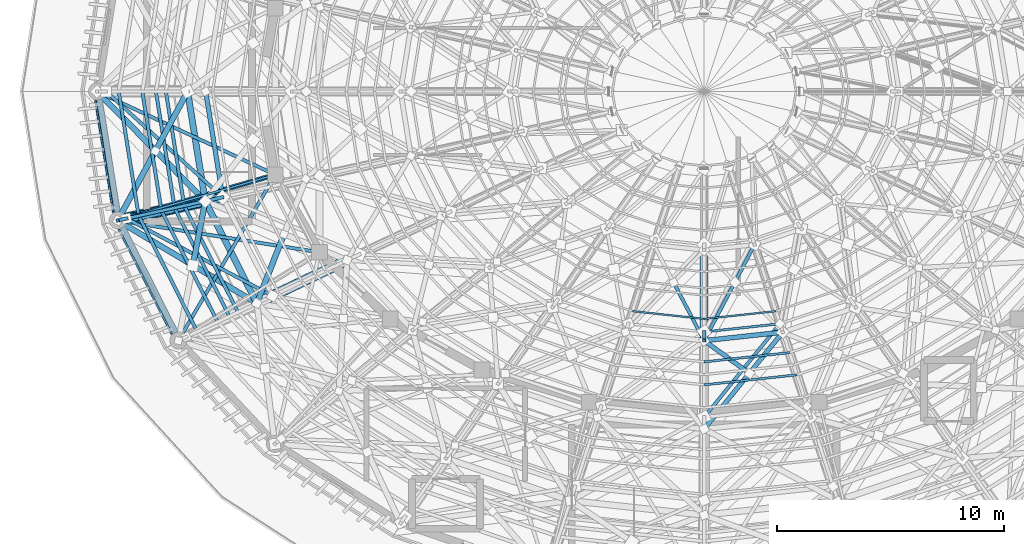
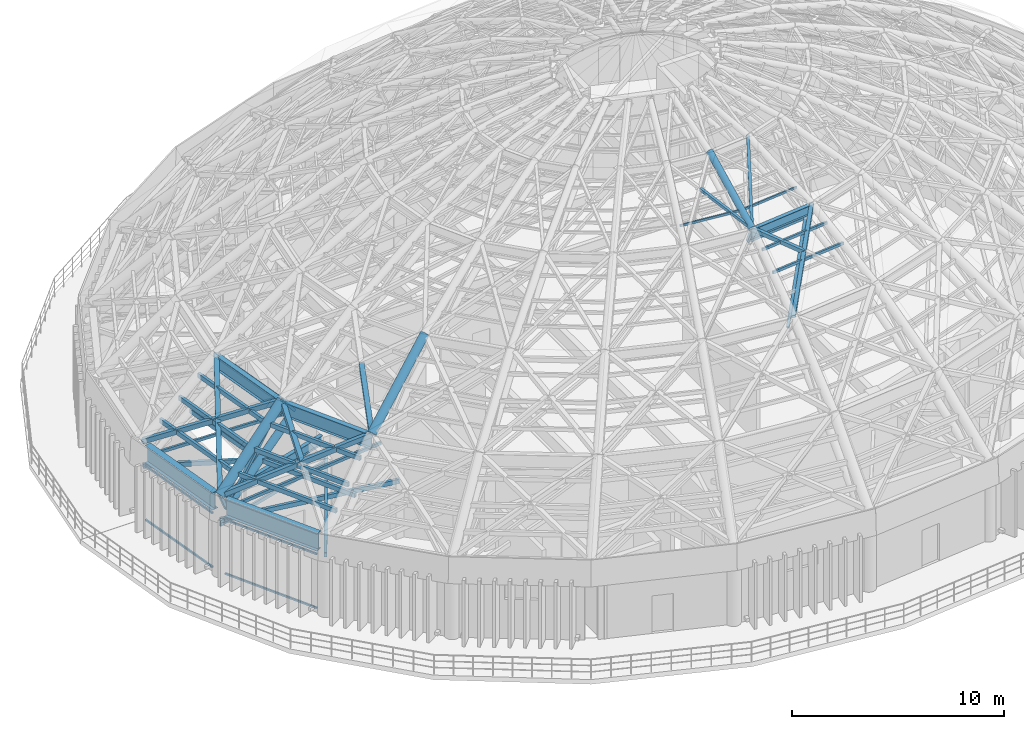
# One storey, part 5 of 50: 43 members, 6 beams.
"""IFC4 building model written with IfcOpenShell, lengths in metres."""

from ifc_helpers import new_model, si_unit, direction, frame, origin, origin_2d, place, context, subcontext, project, spatial, rectangle, hollow_rectangle, hollow_circle, i_section, extrude, material, material_profile, profile_set, type_object, element, save


model = new_model("IFC4")

# Units and contexts
model_context = context("Model", 3, precision=1e-05, world=origin(), true_north=direction((0.0, 1.0)))
body_context = subcontext(model_context, "Body", "Model", "MODEL_VIEW")
ifc_project = project(units=[si_unit("LENGTHUNIT", "METRE"), si_unit("AREAUNIT", "SQUARE_METRE"), si_unit("VOLUMEUNIT", "CUBIC_METRE"), si_unit("PLANEANGLEUNIT", "RADIAN"), si_unit("MASSUNIT", "GRAM", prefix="KILO")], contexts=[model_context])

# Site, building, storey
site_placement = place(None, origin())
site = spatial("IfcSite", under=ifc_project, at=site_placement, CompositionType="ELEMENT")
building_placement = place(site_placement, origin())
building = spatial("IfcBuilding", under=site, at=building_placement, Name="Cinderbank Siding Concert Hall", CompositionType="ELEMENT")
storey_placement = place(building_placement, frame((0.0, 0.0, 23.699951171875)))
storey = spatial("IfcBuildingStorey", under=building, at=storey_placement, Name="L06", CompositionType="ELEMENT", Elevation=23.699951171875)

# Beams
ifc_material_1 = material(Name="Structural steel AS/NZS 3679.1 Grade 350 (340 MPa)", Category="steel")
ifc_material_profile_1 = material_profile(ifc_material_1, i_section(OverallWidth=0.208984375, OverallDepth=0.532958984375, WebThickness=0.01025390625, FlangeThickness=0.015625, at=origin_2d()), Name="530UB92.4", Category="LoadBearing")
ifc_profile_set_1 = profile_set([ifc_material_profile_1], Name="Structural steel AS/NZS 3679.1 Grade 350 (340 MPa)")
beam_type_1 = type_object("IfcBeamType", Name="BM-UB530H 530UB92.4", PredefinedType="BEAM", material=ifc_profile_set_1)
beam_1_placement = place(storey_placement, frame((102.739501953125, 40.2294921875, 4.235595703125), z_axis=(-0.960350422934, -0.278795740946, 0.0), x_axis=(0.278795740946, -0.960350422934, 0.0)))
element("IfcBeam", 1, at=beam_1_placement, inside=storey, type_object=beam_type_1, Name="L06 Beam BM-UB530H #846", PredefinedType="BEAM", context=body_context, shape_type="SweptSolid", body=[
    extrude(i_section(OverallWidth=0.208984375, OverallDepth=0.532958984375, WebThickness=0.01025390625, FlangeThickness=0.015625, at=origin_2d()), origin(), (0.0, 0.0, 1.0), 6.53271484375),
])
beam_2_placement = place(storey_placement, frame((122.0, 33.0, 13.733642578125), z_axis=(0.994212907682, 0.107427623067, 0.0), x_axis=(-0.107427623067, 0.994212907682, 0.0)))
element("IfcBeam", 2, at=beam_2_placement, inside=storey, type_object=beam_type_1, Name="L06 Beam BM-UB530H #2088", PredefinedType="BEAM", context=body_context, shape_type="SweptSolid", body=[
    extrude(i_section(OverallWidth=0.208984375, OverallDepth=0.532958984375, WebThickness=0.01025390625, FlangeThickness=0.015625, at=origin_2d()), origin(), (0.0, 0.0, 1.0), 3.488525390625),
])
ifc_material_2 = material(Name="Structural steel welded plate section AS/NZS 3679.2 / AS/NZS 3678 Grade 350 (340 MPa)", Category="steel")
ifc_material_profile_2 = material_profile(ifc_material_2, i_section(OverallWidth=0.35009765625, OverallDepth=1.0, WebThickness=0.013916015625, FlangeThickness=0.02490234375, at=origin_2d()), Name="1000WB258", Category="LoadBearing")
ifc_profile_set_2 = profile_set([ifc_material_profile_2], Name="Structural steel welded plate section AS/NZS 3679.2 / AS/NZS 3678 Grade 350 (340 MPa)")
beam_type_2 = type_object("IfcBeamType", Name="BM-WB1000 1000WB258", PredefinedType="BEAM", material=ifc_profile_set_2)
beam_3_placement = place(storey_placement, frame((95.258056640625, 43.6376953125, 4.0), z_axis=(0.158385911166, -0.987377285106, 0.0), x_axis=(0.987377285106, 0.158385911166, 0.0)))
element("IfcBeam", 3, at=beam_3_placement, inside=storey, type_object=beam_type_2, Name="L06 Beam BM-WB1000 #828", PredefinedType="BEAM", context=body_context, shape_type="SweptSolid", body=[
    extrude(i_section(OverallWidth=0.35009765625, OverallDepth=1.0, WebThickness=0.013916015625, FlangeThickness=0.02490234375, at=origin_2d()), origin(), (0.0, 0.0, 1.0), 5.03271484375),
])
beam_4_placement = place(storey_placement, frame((96.278564453125, 37.978271484375, 4.0), z_axis=(0.450491318702, -0.892780808359, 0.0), x_axis=(0.892780808359, 0.450491318702, 0.0)))
element("IfcBeam", 4, at=beam_4_placement, inside=storey, type_object=beam_type_2, Name="L06 Beam BM-WB1000 #829", PredefinedType="BEAM", context=body_context, shape_type="SweptSolid", body=[
    extrude(i_section(OverallWidth=0.35009765625, OverallDepth=1.0, WebThickness=0.013916015625, FlangeThickness=0.02490234375, at=origin_2d()), origin(), (0.0, 0.0, 1.0), 5.209228515625),
])
ifc_material_profile_3 = material_profile(ifc_material_2, i_section(OverallWidth=0.27490234375, OverallDepth=0.800048828125, WebThickness=0.010009765625, FlangeThickness=0.01611328125, at=origin_2d()), Name="800WB146", Category="LoadBearing")
ifc_profile_set_3 = profile_set([ifc_material_profile_3], Name="Structural steel welded plate section AS/NZS 3679.2 / AS/NZS 3678 Grade 350 (340 MPa)")
beam_type_3 = type_object("IfcBeamType", Name="BM-WB800 800WB146", PredefinedType="BEAM", material=ifc_profile_set_3)
beam_5_placement = place(storey_placement, frame((99.199951171875, 44.0, 7.699951171875), z_axis=(0.158483883063, -0.987361564377, 0.0), x_axis=(0.987361564377, 0.158483883063, 0.0)))
element("IfcBeam", 5, at=beam_5_placement, inside=storey, type_object=beam_type_3, Name="L06 Beam BM-WB800 #2045", PredefinedType="BEAM", context=body_context, shape_type="SweptSolid", body=[
    extrude(i_section(OverallWidth=0.27490234375, OverallDepth=0.800048828125, WebThickness=0.010009765625, FlangeThickness=0.01611328125, at=origin_2d()), origin(), (0.0, 0.0, 1.0), 4.90185546875),
])
beam_6_placement = place(storey_placement, frame((99.976806640625, 39.16015625, 7.699951171875), z_axis=(0.450804825768, -0.892622545685, 0.0), x_axis=(0.892622545685, 0.450804825768, 0.0)))
element("IfcBeam", 6, at=beam_6_placement, inside=storey, type_object=beam_type_3, Name="L06 Beam BM-WB800 #2046", PredefinedType="BEAM", context=body_context, shape_type="SweptSolid", body=[
    extrude(i_section(OverallWidth=0.27490234375, OverallDepth=0.800048828125, WebThickness=0.010009765625, FlangeThickness=0.01611328125, at=origin_2d()), origin(), (0.0, 0.0, 1.0), 5.052734375),
])

# Members
ifc_material_3 = material(Name="Structural steel hollow section AS/NZS 1163 Grade C350L0 (350 MPa)", Category="steel")
ifc_material_profile_4 = material_profile(ifc_material_3, hollow_rectangle(XDim=0.14990234375, YDim=0.14990234375, WallThickness=0.008056640625, at=origin_2d()), Name="150x150x8.0SHS", Category="LoadBearing")
ifc_profile_set_4 = profile_set([ifc_material_profile_4], Name="Structural steel hollow section AS/NZS 1163 Grade C350L0 (350 MPa)")
member_type_1 = type_object("IfcMemberType", Name="BR-SHS150 150x150x8.0SHS Roof Truss", PredefinedType="BRACE", material=ifc_profile_set_4)
member_1_placement = place(storey_placement, frame((95.60205078125, 44.0, 3.550048828125), z_axis=(0.65748827294, -0.596752415493, 0.459995353835), x_axis=(0.672078032772, 0.740480329155, 0.0)))
element("IfcMember", 7, at=member_1_placement, inside=storey, type_object=member_type_1, Name="L06 Diagonal Brace BR-SHS150 #DBRI-BR-SHS150-L06-0683", PredefinedType="BRACE", context=body_context, shape_type="SweptSolid", body=[
    extrude(hollow_rectangle(XDim=0.14990234375, YDim=0.14990234375, WallThickness=0.008056640625, at=origin_2d()), origin(), (0.0, 0.0, 1.0), 7.826416015625),
])
member_2_placement = place(storey_placement, frame((96.50146484375, 38.391357421875, 3.550048828125), z_axis=(0.60159806167, 0.133082704334, 0.787634919237), x_axis=(-0.215993483707, 0.97639480488, 0.0)))
element("IfcMember", 8, at=member_2_placement, inside=storey, type_object=member_type_1, Name="L06 Diagonal Brace BR-SHS150 #DWBD-BR-SHS150-L06-0686", PredefinedType="BRACE", context=body_context, shape_type="SweptSolid", body=[
    extrude(hollow_rectangle(XDim=0.14990234375, YDim=0.14990234375, WallThickness=0.008056640625, at=origin_2d()), origin(), (0.0, 0.0, 1.0), 5.77685546875),
])
member_3_placement = place(storey_placement, frame((96.50146484375, 38.391357421875, 3.550048828125), z_axis=(-0.37696695298, -0.082980146882, 0.922502147198), x_axis=(0.214978955029, -0.976618681418, 0.0)))
element("IfcMember", 9, at=member_3_placement, inside=storey, type_object=member_type_1, Name="L06 Diagonal Brace BR-SHS150 #DWBV-BR-SHS150-L06-0689", PredefinedType="BRACE", context=body_context, shape_type="SweptSolid", body=[
    extrude(hollow_rectangle(XDim=0.14990234375, YDim=0.14990234375, WallThickness=0.008056640625, at=origin_2d()), origin(), (0.0, 0.0, 1.0), 1.02978515625),
])
member_4_placement = place(storey_placement, frame((96.50146484375, 38.391357421875, 3.550048828125), z_axis=(0.79236704767, -0.41977802677, 0.442652086867), x_axis=(0.468139953779, 0.88365433495, 0.0)))
element("IfcMember", 10, at=member_4_placement, inside=storey, type_object=member_type_1, Name="L06 Diagonal Brace BR-SHS150 #DBRI-BR-SHS150-L06-0695", PredefinedType="BRACE", context=body_context, shape_type="SweptSolid", body=[
    extrude(hollow_rectangle(XDim=0.14990234375, YDim=0.14990234375, WallThickness=0.008056640625, at=origin_2d()), origin(), (0.0, 0.0, 1.0), 8.133056640625),
])
member_5_placement = place(storey_placement, frame((100.747802734375, 39.32958984375, 7.150146484375), z_axis=(-0.624221843528, -0.137178581193, 0.769109307526), x_axis=(0.214637578428, -0.976693764661, 0.0)))
element("IfcMember", 11, at=member_5_placement, inside=storey, type_object=member_type_1, Name="L06 Diagonal Brace BR-SHS150 #DWBV-BR-SHS150-L06-0977", PredefinedType="BRACE", context=body_context, shape_type="SweptSolid", body=[
    extrude(hollow_rectangle(XDim=0.14990234375, YDim=0.14990234375, WallThickness=0.008056640625, at=origin_2d()), origin(), (0.0, 0.0, 1.0), 1.235107421875),
])
member_6_placement = place(storey_placement, frame((122.0, 29.62158203125, 10.35009765625), z_axis=(0.561649736076, 0.692269765155, 0.45311383362), x_axis=(-0.776563683526, 0.63003876502, 0.0)))
element("IfcMember", 12, at=member_6_placement, inside=storey, type_object=member_type_1, Name="L06 Diagonal Brace BR-SHS150 #DBRI-BR-SHS150-L06-1331", PredefinedType="BRACE", context=body_context, shape_type="SweptSolid", body=[
    extrude(hollow_rectangle(XDim=0.14990234375, YDim=0.14990234375, WallThickness=0.008056640625, at=origin_2d()), origin(), (0.0, 0.0, 1.0), 5.958740234375),
])
member_7_placement = place(storey_placement, frame((122.0, 33.0, 14.0), z_axis=(-0.428994505994, 0.81693653484, 0.385458703197), x_axis=(-0.885352035416, -0.464921255037, 0.0)))
element("IfcMember", 13, at=member_7_placement, inside=storey, type_object=member_type_1, Name="L06 Diagonal Brace BR-SHS150 #DBRO-BR-SHS150-L06-1606", PredefinedType="BRACE", context=body_context, shape_type="SweptSolid", body=[
    extrude(hollow_rectangle(XDim=0.14990234375, YDim=0.14990234375, WallThickness=0.008056640625, at=origin_2d()), origin(), (0.0, 0.0, 1.0), 3.14599609375),
])
member_8_placement = place(storey_placement, frame((122.0, 33.385009765625, 13.050048828125), z_axis=(0.0, -0.375616647111, 0.92677512613), x_axis=(1.0, 0.0, 0.0)))
element("IfcMember", 14, at=member_8_placement, inside=storey, type_object=member_type_1, Name="L06 Diagonal Brace BR-SHS150 #DWBV-BR-SHS150-L06-1613", PredefinedType="BRACE", context=body_context, shape_type="SweptSolid", body=[
    extrude(hollow_rectangle(XDim=0.14990234375, YDim=0.14990234375, WallThickness=0.008056640625, at=origin_2d()), origin(), (0.0, 0.0, 1.0), 1.02490234375),
])
member_9_placement = place(storey_placement, frame((122.0, 33.0, 14.0), z_axis=(0.429001866407, 0.816924580749, 0.385475846178), x_axis=(-0.885345951591, 0.464932840312, 0.0)))
element("IfcMember", 15, at=member_9_placement, inside=storey, type_object=member_type_1, Name="L06 Diagonal Brace BR-SHS150 #DBRO-BR-SHS150-L06-1617", PredefinedType="BRACE", context=body_context, shape_type="SweptSolid", body=[
    extrude(hollow_rectangle(XDim=0.14990234375, YDim=0.14990234375, WallThickness=0.008056640625, at=origin_2d()), origin(), (0.0, 0.0, 1.0), 5.1884765625),
])
ifc_material_profile_5 = material_profile(ifc_material_3, hollow_rectangle(XDim=0.199951171875, YDim=0.199951171875, WallThickness=0.009033203125, at=origin_2d()), Name="200x200x9.0SHS", Category="LoadBearing")
ifc_profile_set_5 = profile_set([ifc_material_profile_5], Name="Structural steel hollow section AS/NZS 1163 Grade C350L0 (350 MPa)")
member_type_2 = type_object("IfcMemberType", Name="BR-SHS200 200x200x9.0SHS Roof Truss", PredefinedType="BRACE", material=ifc_profile_set_5)
member_10_placement = place(storey_placement, frame((122.0, 29.10009765625, 11.300048828125), z_axis=(0.565676730975, 0.697200751981, 0.440364562006), x_axis=(-0.776549293972, 0.630056500666, 0.0)))
element("IfcMember", 16, at=member_10_placement, inside=storey, type_object=member_type_2, Name="L06 Diagonal Brace BR-SHS200 #DBRO-BR-SHS200-L06-1329", PredefinedType="BRACE", context=body_context, shape_type="SweptSolid", body=[
    extrude(hollow_rectangle(XDim=0.199951171875, YDim=0.199951171875, WallThickness=0.009033203125, at=origin_2d()), origin(), (0.0, 0.0, 1.0), 6.131103515625),
])
member_11_placement = place(storey_placement, frame((123.986328125, 31.569580078125, 12.861572265625), z_axis=(-0.735797289553, 0.529871720685, 0.421708795623), x_axis=(-0.584375666063, -0.811483259786, 0.0)))
element("IfcMember", 17, at=member_11_placement, inside=storey, type_object=member_type_2, Name="L06 Diagonal Brace BR-SHS200 #DBRO-BR-SHS200-L06-1330-S123", PredefinedType="BRACE", context=body_context, shape_type="SweptSolid", body=[
    extrude(hollow_rectangle(XDim=0.199951171875, YDim=0.199951171875, WallThickness=0.009033203125, at=origin_2d()), origin(), (0.0, 0.0, 1.0), 2.699462890625),
])
ifc_material_profile_6 = material_profile(ifc_material_3, hollow_rectangle(XDim=0.25, YDim=0.25, WallThickness=0.010009765625, at=origin_2d()), Name="250x250x10.0SHS", Category="LoadBearing")
ifc_profile_set_6 = profile_set([ifc_material_profile_6], Name="Structural steel hollow section AS/NZS 1163 Grade C350L0 (350 MPa)")
member_type_3 = type_object("IfcMemberType", Name="BR-SHS250 250x250x10.0SHS Roof Truss", PredefinedType="BRACE", material=ifc_profile_set_6)
member_12_placement = place(storey_placement, frame((95.199951171875, 44.0, 4.5), z_axis=(0.620825768574, -0.62901206359, 0.467888008964), x_axis=(0.711722983171, 0.702460244588, 0.0)))
element("IfcMember", 18, at=member_12_placement, inside=storey, type_object=member_type_3, Name="L06 Diagonal Brace BR-SHS250 #DBRO-BR-SHS250-L06-0681", PredefinedType="BRACE", context=body_context, shape_type="SweptSolid", body=[
    extrude(hollow_rectangle(XDim=0.25, YDim=0.25, WallThickness=0.010009765625, at=origin_2d()), origin(), (0.0, 0.0, 1.0), 7.6943359375),
])
member_13_placement = place(storey_placement, frame((96.11328125, 38.305908203125, 4.5), z_axis=(0.416567101442, 0.768406931136, 0.485821611477), x_axis=(-0.879125806275, 0.476589778259, 0.0)))
element("IfcMember", 19, at=member_13_placement, inside=storey, type_object=member_type_3, Name="L06 Diagonal Brace BR-SHS250 #DBRO-BR-SHS250-L06-0682", PredefinedType="BRACE", context=body_context, shape_type="SweptSolid", body=[
    extrude(hollow_rectangle(XDim=0.25, YDim=0.25, WallThickness=0.010009765625, at=origin_2d()), origin(), (0.0, 0.0, 1.0), 3.99072265625),
])
member_14_placement = place(storey_placement, frame((97.7880859375, 41.3955078125, 6.453369140625), z_axis=(0.41654543345, 0.768408556812, 0.485837618644), x_axis=(-0.879136615235, 0.476569839324, 0.0)))
element("IfcMember", 20, at=member_14_placement, inside=storey, type_object=member_type_3, Name="L06 Diagonal Brace BR-SHS250 #DBRO-BR-SHS250-L06-0682-S69", PredefinedType="BRACE", context=body_context, shape_type="SweptSolid", body=[
    extrude(hollow_rectangle(XDim=0.25, YDim=0.25, WallThickness=0.010009765625, at=origin_2d()), origin(), (0.0, 0.0, 1.0), 3.389404296875),
])
member_15_placement = place(storey_placement, frame((96.11328125, 38.305908203125, 4.5), z_axis=(0.767409803863, -0.456846027146, 0.449859867532), x_axis=(0.511528898999, 0.859266073745, 0.0)))
element("IfcMember", 21, at=member_15_placement, inside=storey, type_object=member_type_3, Name="L06 Diagonal Brace BR-SHS250 #DBRO-BR-SHS250-L06-0693", PredefinedType="BRACE", context=body_context, shape_type="SweptSolid", body=[
    extrude(hollow_rectangle(XDim=0.25, YDim=0.25, WallThickness=0.010009765625, at=origin_2d()), origin(), (0.0, 0.0, 1.0), 8.002685546875),
])
member_16_placement = place(storey_placement, frame((99.434326171875, 36.3427734375, 6.45361328125), z_axis=(0.163990634767, 0.851688535196, 0.497728551245), x_axis=(-0.981962721471, 0.189074624533, 0.0)))
element("IfcMember", 22, at=member_16_placement, inside=storey, type_object=member_type_3, Name="L06 Diagonal Brace BR-SHS250 #DBRO-BR-SHS250-L06-0694-S70", PredefinedType="BRACE", context=body_context, shape_type="SweptSolid", body=[
    extrude(hollow_rectangle(XDim=0.25, YDim=0.25, WallThickness=0.010009765625, at=origin_2d()), origin(), (0.0, 0.0, 1.0), 3.30810546875),
])
member_17_placement = place(storey_placement, frame((102.254638671875, 34.64990234375, 8.10009765625), z_axis=(0.322419421773, 0.817949942485, 0.476448956397), x_axis=(-0.930332071669, 0.366718197563, 0.0)))
element("IfcMember", 23, at=member_17_placement, inside=storey, type_object=member_type_3, Name="L06 Diagonal Brace BR-SHS250 #DBRO-BR-SHS250-L06-0982", PredefinedType="BRACE", context=body_context, shape_type="SweptSolid", body=[
    extrude(hollow_rectangle(XDim=0.25, YDim=0.25, WallThickness=0.010009765625, at=origin_2d()), origin(), (0.0, 0.0, 1.0), 3.72314453125),
])
ifc_material_profile_7 = material_profile(ifc_material_3, hollow_circle(Radius=0.177734375, WallThickness=0.0126953125, at=origin_2d()), Name="355.6x12.7CHS", Category="LoadBearing")
ifc_profile_set_7 = profile_set([ifc_material_profile_7], Name="Structural steel hollow section AS/NZS 1163 Grade C350L0 (350 MPa)")
member_type_4 = type_object("IfcMemberType", Name="DR-CHS355 355.6x12.7CHS Roof Truss", PredefinedType="RAFTER", material=ifc_profile_set_7)
member_18_placement = place(storey_placement, frame((122.0, 33.0, 14.0), z_axis=(0.0, 0.894427191, 0.4472135955), x_axis=(-1.0, 0.0, 0.0)))
element("IfcMember", 24, at=member_18_placement, inside=storey, type_object=member_type_4, Name="L06 Roof Truss Member DR-CHS355 #1608", PredefinedType="RAFTER", context=body_context, shape_type="SweptSolid", body=[
    extrude(hollow_circle(Radius=0.177734375, WallThickness=0.0126953125, at=origin_2d()), origin(), (0.0, 0.0, 1.0), 4.47216796875),
])
ifc_material_profile_8 = material_profile(ifc_material_3, hollow_circle(Radius=0.203125, WallThickness=0.01611328125, at=origin_2d()), Name="406.4x16.0CHS", Category="LoadBearing")
ifc_profile_set_8 = profile_set([ifc_material_profile_8], Name="Structural steel hollow section AS/NZS 1163 Grade C350L0 (350 MPa)")
member_type_5 = type_object("IfcMemberType", Name="DR-CHS406 406.4x16.0CHS Roof Truss", PredefinedType="RAFTER", material=ifc_profile_set_8)
member_19_placement = place(storey_placement, frame((96.50146484375, 38.391357421875, 3.550048828125), z_axis=(0.752155055134, 0.166189379456, 0.637686336055), x_axis=(-0.215747388225, 0.97644921244, 0.0)))
element("IfcMember", 25, at=member_19_placement, inside=storey, type_object=member_type_5, Name="L06 Roof Truss Member DR-CHS406 #685", PredefinedType="RAFTER", context=body_context, shape_type="SweptSolid", body=[
    extrude(hollow_circle(Radius=0.203125, WallThickness=0.01611328125, at=origin_2d()), origin(), (0.0, 0.0, 1.0), 5.6455078125),
])
ifc_material_profile_9 = material_profile(ifc_material_3, hollow_circle(Radius=0.228515625, WallThickness=0.01611328125, at=origin_2d()), Name="457.0x16.0CHS", Category="LoadBearing")
ifc_profile_set_9 = profile_set([ifc_material_profile_9], Name="Structural steel hollow section AS/NZS 1163 Grade C350L0 (350 MPa)")
member_type_6 = type_object("IfcMemberType", Name="DR-CHS457 457.0x16.0CHS Roof Truss", PredefinedType="RAFTER", material=ifc_profile_set_9)
member_20_placement = place(storey_placement, frame((102.254638671875, 34.64990234375, 8.10009765625), z_axis=(0.73073263404, 0.348550106682, 0.586977546998), x_axis=(-0.430519669304, 0.902581195429, 0.0)))
element("IfcMember", 26, at=member_20_placement, inside=storey, type_object=member_type_6, Name="L06 Roof Truss Member DR-CHS457 #984", PredefinedType="RAFTER", context=body_context, shape_type="SweptSolid", body=[
    extrude(hollow_circle(Radius=0.228515625, WallThickness=0.01611328125, at=origin_2d()), origin(), (0.0, 0.0, 1.0), 5.45166015625),
])
ifc_material_profile_10 = material_profile(ifc_material_3, hollow_circle(Radius=0.25390625, WallThickness=0.01611328125, at=origin_2d()), Name="508.0x16.0CHS", Category="LoadBearing")
ifc_profile_set_10 = profile_set([ifc_material_profile_10], Name="Structural steel hollow section AS/NZS 1163 Grade C350L0 (350 MPa)")
member_type_7 = type_object("IfcMemberType", Name="DR-CHS508 508.0x16.0CHS Roof Truss", PredefinedType="RAFTER", material=ifc_profile_set_10)
member_21_placement = place(storey_placement, frame((96.11328125, 38.305908203125, 4.5), z_axis=(0.722220248444, 0.15968711844, 0.672976921552), x_axis=(-0.215891581568, 0.976417341616, 0.0)))
element("IfcMember", 27, at=member_21_placement, inside=storey, type_object=member_type_7, Name="L06 Roof Truss Member DR-CHS508 #684", PredefinedType="RAFTER", context=body_context, shape_type="SweptSolid", body=[
    extrude(hollow_circle(Radius=0.25390625, WallThickness=0.01611328125, at=origin_2d()), origin(), (0.0, 0.0, 1.0), 5.349609375),
])
ifc_material_4 = material(Name="Anodised aluminium alloy 6063-T6", Category="aluminium")
ifc_material_profile_11 = material_profile(ifc_material_4, rectangle(XDim=0.080078125, YDim=0.10009765625, at=origin_2d()), Name="ALU-RAIL-80x100", Category="LoadBearing")
ifc_profile_set_11 = profile_set([ifc_material_profile_11], Name="Anodised aluminium alloy 6063-T6")
member_type_8 = type_object("IfcMemberType", Name="LV-RL1 Carrier Rail 80x100", PredefinedType="STUD", material=ifc_profile_set_11)
for number, where, z_axis, x_axis, name in (
    (28, (95.132568359375, 43.60107421875, 0.219970703125), (0.158322718802, -0.987387419765, 0.0), (0.987387419765, 0.158322718802, 0.0), "L06 Louvre Carrier Rail 13 BOT"),
    (29, (95.132568359375, 43.60107421875, 3.320068359375), (0.158322718802, -0.987387419765, 0.0), (0.987387419765, 0.158322718802, 0.0), "L06 Louvre Carrier Rail 13 TOP"),
):
    element("IfcMember", number, at=place(storey_placement, frame(where, z_axis=z_axis, x_axis=x_axis)), inside=storey, type_object=member_type_8, Name=name, PredefinedType="STUD", context=body_context, shape_type="SweptSolid", body=[
        extrude(rectangle(XDim=0.080078125, YDim=0.10009765625, at=origin_2d()), origin(), (0.0, 0.0, 1.0), 4.987060546875),
    ])
for number, where, z_axis, x_axis, name in (
    (30, (96.165771484375, 37.916015625, 0.219970703125), (0.450482714116, -0.892785150124, 0.0), (0.892785150124, 0.450482714116, 0.0), "L06 Louvre Carrier Rail 14 BOT"),
    (31, (96.165771484375, 37.916015625, 3.320068359375), (0.450482714116, -0.892785150124, 0.0), (0.892785150124, 0.450482714116, 0.0), "L06 Louvre Carrier Rail 14 TOP"),
):
    element("IfcMember", number, at=place(storey_placement, frame(where, z_axis=z_axis, x_axis=x_axis)), inside=storey, type_object=member_type_8, Name=name, PredefinedType="STUD", context=body_context, shape_type="SweptSolid", body=[
        extrude(rectangle(XDim=0.080078125, YDim=0.10009765625, at=origin_2d()), origin(), (0.0, 0.0, 1.0), 5.1630859375),
    ])
ifc_material_profile_12 = material_profile(ifc_material_3, hollow_rectangle(XDim=0.074951171875, YDim=0.125, WallThickness=0.0048828125, at=origin_2d()), Name="125x75x5.0RHS", Category="LoadBearing")
ifc_profile_set_12 = profile_set([ifc_material_profile_12], Name="Structural steel hollow section AS/NZS 1163 Grade C350L0 (350 MPa)")
member_type_9 = type_object("IfcMemberType", Name="PR-RHS125 125x75x5.0RHS Roof Truss", PredefinedType="PURLIN", material=ifc_profile_set_12)
for number, where, z_axis, x_axis, name in (
    (32, (118.830078125, 34.302001953125, 14.47998046875), (0.994228920848, -0.107279322097, 0.0), (0.107279322097, 0.994228920848, 0.0), "L06 Roof Truss Member PR-RHS125 #1602"),
    (33, (122.0, 33.9599609375, 14.47998046875), (0.994228920848, 0.107279322097, 0.0), (-0.107279322097, 0.994228920848, 0.0), "L06 Roof Truss Member PR-RHS125 #1614"),
):
    element("IfcMember", number, at=place(storey_placement, frame(where, z_axis=z_axis, x_axis=x_axis)), inside=storey, type_object=member_type_9, Name=name, PredefinedType="PURLIN", context=body_context, shape_type="SweptSolid", body=[
        extrude(hollow_rectangle(XDim=0.074951171875, YDim=0.125, WallThickness=0.0048828125, at=origin_2d()), origin(), (0.0, 0.0, 1.0), 3.188232421875),
    ])
ifc_material_profile_13 = material_profile(ifc_material_3, hollow_rectangle(XDim=0.10009765625, YDim=0.14990234375, WallThickness=0.006103515625, at=origin_2d()), Name="150x100x6.0RHS", Category="LoadBearing")
ifc_profile_set_13 = profile_set([ifc_material_profile_13], Name="Structural steel hollow section AS/NZS 1163 Grade C350L0 (350 MPa)")
member_type_10 = type_object("IfcMemberType", Name="PR-RHS150 150x100x6.0RHS Roof Truss", PredefinedType="PURLIN", material=ifc_profile_set_13)
member_22_placement = place(storey_placement, frame((122.0, 31.050048828125, 12.650146484375), z_axis=(0.99423119383, 0.107258254761, 0.0), x_axis=(-0.107258254761, 0.99423119383, 0.0)))
element("IfcMember", 34, at=member_22_placement, inside=storey, type_object=member_type_10, Name="L06 Roof Truss Member PR-RHS150 #1327", PredefinedType="PURLIN", context=body_context, shape_type="SweptSolid", body=[
    extrude(hollow_rectangle(XDim=0.10009765625, YDim=0.14990234375, WallThickness=0.006103515625, at=origin_2d()), origin(), (0.0, 0.0, 1.0), 4.113037109375),
])
member_23_placement = place(storey_placement, frame((122.0, 32.06396484375, 13.35205078125), z_axis=(0.994219325498, 0.107368211336, 0.0), x_axis=(-0.107368211336, 0.994219325498, 0.0)))
element("IfcMember", 35, at=member_23_placement, inside=storey, type_object=member_type_10, Name="L06 Roof Truss Member PR-RHS150 #1328", PredefinedType="PURLIN", context=body_context, shape_type="SweptSolid", body=[
    extrude(hollow_rectangle(XDim=0.10009765625, YDim=0.14990234375, WallThickness=0.006103515625, at=origin_2d()), origin(), (0.0, 0.0, 1.0), 3.788330078125),
])
ifc_material_profile_14 = material_profile(ifc_material_3, hollow_rectangle(XDim=0.10009765625, YDim=0.199951171875, WallThickness=0.008056640625, at=origin_2d()), Name="200x100x8.0RHS", Category="LoadBearing")
ifc_profile_set_14 = profile_set([ifc_material_profile_14], Name="Structural steel hollow section AS/NZS 1163 Grade C350L0 (350 MPa)")
member_type_11 = type_object("IfcMemberType", Name="PR-RHS200 200x100x8.0RHS Roof Truss", PredefinedType="PURLIN", material=ifc_profile_set_14)
member_24_placement = place(storey_placement, frame((122.0, 33.385009765625, 13.050048828125), z_axis=(0.994214376607, 0.107414027703, 0.0), x_axis=(-0.107414027703, 0.994214376607, 0.0)))
element("IfcMember", 36, at=member_24_placement, inside=storey, type_object=member_type_11, Name="L06 Roof Truss Member PR-RHS200 #1323", PredefinedType="PURLIN", context=body_context, shape_type="SweptSolid", body=[
    extrude(hollow_rectangle(XDim=0.10009765625, YDim=0.199951171875, WallThickness=0.008056640625, at=origin_2d()), origin(), (0.0, 0.0, 1.0), 3.3662109375),
])
member_25_placement = place(storey_placement, frame((103.06787109375, 40.32470703125, 2.81005859375), z_axis=(-0.960356417746, -0.278775090161, 0.0), x_axis=(0.278775090161, -0.960356417746, 0.0)))
element("IfcMember", 37, at=member_25_placement, inside=storey, type_object=member_type_11, Name="L06 Roof Truss Member PR-RHS200 #2354", PredefinedType="PURLIN", context=body_context, shape_type="SweptSolid", body=[
    extrude(hollow_rectangle(XDim=0.10009765625, YDim=0.199951171875, WallThickness=0.008056640625, at=origin_2d()), origin(), (0.0, 0.0, 1.0), 7.24169921875),
])
ifc_material_profile_15 = material_profile(ifc_material_3, hollow_rectangle(XDim=0.14990234375, YDim=0.25, WallThickness=0.009033203125, at=origin_2d()), Name="250x150x9.0RHS", Category="LoadBearing")
ifc_profile_set_15 = profile_set([ifc_material_profile_15], Name="Structural steel hollow section AS/NZS 1163 Grade C350L0 (350 MPa)")
member_type_12 = type_object("IfcMemberType", Name="PR-RHS250 250x150x9.0RHS Roof Truss", PredefinedType="PURLIN", material=ifc_profile_set_15)
member_26_placement = place(storey_placement, frame((97.800048828125, 44.0, 5.35009765625), z_axis=(0.158394769514, -0.987375864092, 0.0), x_axis=(0.987375864092, 0.158394769514, 0.0)))
element("IfcMember", 38, at=member_26_placement, inside=storey, type_object=member_type_12, Name="L06 Roof Truss Member PR-RHS250 #676", PredefinedType="PURLIN", context=body_context, shape_type="SweptSolid", body=[
    extrude(hollow_rectangle(XDim=0.14990234375, YDim=0.25, WallThickness=0.009033203125, at=origin_2d()), origin(), (0.0, 0.0, 1.0), 5.205078125),
])
member_27_placement = place(storey_placement, frame((96.159912109375, 44.0, 5.364013671875), z_axis=(0.158406700088, -0.987373950116, 0.0), x_axis=(0.987373950116, 0.158406700088, 0.0)))
element("IfcMember", 39, at=member_27_placement, inside=storey, type_object=member_type_12, Name="L06 Roof Truss Member PR-RHS250 #678", PredefinedType="PURLIN", context=body_context, shape_type="SweptSolid", body=[
    extrude(hollow_rectangle(XDim=0.14990234375, YDim=0.25, WallThickness=0.009033203125, at=origin_2d()), origin(), (0.0, 0.0, 1.0), 5.559326171875),
])
member_28_placement = place(storey_placement, frame((97.199951171875, 44.0, 6.300048828125), z_axis=(0.158443866233, -0.987367986747, 0.0), x_axis=(0.987367986747, 0.158443866233, 0.0)))
element("IfcMember", 40, at=member_28_placement, inside=storey, type_object=member_type_12, Name="L06 Roof Truss Member PR-RHS250 #679", PredefinedType="PURLIN", context=body_context, shape_type="SweptSolid", body=[
    extrude(hollow_rectangle(XDim=0.14990234375, YDim=0.25, WallThickness=0.009033203125, at=origin_2d()), origin(), (0.0, 0.0, 1.0), 5.33447265625),
])
member_29_placement = place(storey_placement, frame((98.239990234375, 44.0, 7.236083984375), z_axis=(0.158445196298, -0.98736777331, 0.0), x_axis=(0.98736777331, 0.158445196298, 0.0)))
element("IfcMember", 41, at=member_29_placement, inside=storey, type_object=member_type_12, Name="L06 Roof Truss Member PR-RHS250 #680", PredefinedType="PURLIN", context=body_context, shape_type="SweptSolid", body=[
    extrude(hollow_rectangle(XDim=0.14990234375, YDim=0.25, WallThickness=0.009033203125, at=origin_2d()), origin(), (0.0, 0.0, 1.0), 5.109375),
])
member_30_placement = place(storey_placement, frame((98.62451171875, 38.860595703125, 5.35009765625), z_axis=(0.450632270083, -0.892709671259, 0.0), x_axis=(0.892709671259, 0.450632270083, 0.0)))
element("IfcMember", 42, at=member_30_placement, inside=storey, type_object=member_type_12, Name="L06 Roof Truss Member PR-RHS250 #688", PredefinedType="PURLIN", context=body_context, shape_type="SweptSolid", body=[
    extrude(hollow_rectangle(XDim=0.14990234375, YDim=0.25, WallThickness=0.009033203125, at=origin_2d()), origin(), (0.0, 0.0, 1.0), 5.365234375),
])
member_31_placement = place(storey_placement, frame((97.04052734375, 38.510986328125, 5.364013671875), z_axis=(0.450534225654, -0.8927591565, 0.0), x_axis=(0.8927591565, 0.450534225654, 0.0)))
element("IfcMember", 43, at=member_31_placement, inside=storey, type_object=member_type_12, Name="L06 Roof Truss Member PR-RHS250 #690", PredefinedType="PURLIN", context=body_context, shape_type="SweptSolid", body=[
    extrude(hollow_rectangle(XDim=0.14990234375, YDim=0.25, WallThickness=0.009033203125, at=origin_2d()), origin(), (0.0, 0.0, 1.0), 5.7294921875),
])
member_32_placement = place(storey_placement, frame((98.045166015625, 38.73291015625, 6.300048828125), z_axis=(0.450603112747, -0.892724389037, 0.0), x_axis=(0.892724389037, 0.450603112747, 0.0)))
element("IfcMember", 44, at=member_32_placement, inside=storey, type_object=member_type_12, Name="L06 Roof Truss Member PR-RHS250 #691", PredefinedType="PURLIN", context=body_context, shape_type="SweptSolid", body=[
    extrude(hollow_rectangle(XDim=0.14990234375, YDim=0.25, WallThickness=0.009033203125, at=origin_2d()), origin(), (0.0, 0.0, 1.0), 5.497802734375),
])
member_33_placement = place(storey_placement, frame((99.049560546875, 38.955078125, 7.236083984375), z_axis=(0.450696350116, -0.892677321316, 0.0), x_axis=(0.892677321316, 0.450696350116, 0.0)))
element("IfcMember", 45, at=member_33_placement, inside=storey, type_object=member_type_12, Name="L06 Roof Truss Member PR-RHS250 #692", PredefinedType="PURLIN", context=body_context, shape_type="SweptSolid", body=[
    extrude(hollow_rectangle(XDim=0.14990234375, YDim=0.25, WallThickness=0.009033203125, at=origin_2d()), origin(), (0.0, 0.0, 1.0), 5.266357421875),
])
ifc_material_profile_16 = material_profile(ifc_material_3, hollow_rectangle(XDim=0.199951171875, YDim=0.300048828125, WallThickness=0.010009765625, at=origin_2d()), Name="300x200x10.0RHS", Category="LoadBearing")
ifc_profile_set_16 = profile_set([ifc_material_profile_16], Name="Structural steel hollow section AS/NZS 1163 Grade C350L0 (350 MPa)")
member_type_13 = type_object("IfcMemberType", Name="PR-RHS300 300x200x10.0RHS Roof Truss", PredefinedType="PURLIN", material=ifc_profile_set_16)
member_34_placement = place(storey_placement, frame((99.998046875, 44.0, 7.150146484375), z_axis=(0.158503792449, -0.987358368466, 0.0), x_axis=(0.987358368466, 0.158503792449, 0.0)))
element("IfcMember", 46, at=member_34_placement, inside=storey, type_object=member_type_13, Name="L06 Roof Truss Member PR-RHS300 #675", PredefinedType="PURLIN", context=body_context, shape_type="SweptSolid", body=[
    extrude(hollow_rectangle(XDim=0.199951171875, YDim=0.300048828125, WallThickness=0.010009765625, at=origin_2d()), origin(), (0.0, 0.0, 1.0), 4.730224609375),
])
ifc_material_profile_17 = material_profile(ifc_material_3, hollow_rectangle(XDim=0.14990234375, YDim=0.25, WallThickness=0.009033203125, at=origin_2d()), Name="250x150x9.0RHS", Category="LoadBearing")
ifc_profile_set_17 = profile_set([ifc_material_profile_17], Name="Structural steel hollow section AS/NZS 1163 Grade C350L0 (350 MPa)")
member_type_14 = type_object("IfcMemberType", Name="TR-RHS250 250x150x9.0RHS Roof Truss", PredefinedType="RAFTER", material=ifc_profile_set_17)
member_35_placement = place(storey_placement, frame((103.06787109375, 40.32470703125, 3.070068359375), z_axis=(-0.906024345896, 0.423225571822, 0.0), x_axis=(-0.423225571822, -0.906024345896, 0.0)))
element("IfcMember", 47, at=member_35_placement, inside=storey, type_object=member_type_14, Name="L06 Roof Truss Member TR-RHS250 #2351", PredefinedType="RAFTER", context=body_context, shape_type="SweptSolid", body=[
    extrude(hollow_rectangle(XDim=0.14990234375, YDim=0.25, WallThickness=0.009033203125, at=origin_2d()), origin(), (0.0, 0.0, 1.0), 8.68408203125),
])
member_36_placement = place(storey_placement, frame((103.06787109375, 40.32470703125, 3.35009765625), z_axis=(-0.50427542144, -0.863542876372, 0.0), x_axis=(0.863542876372, -0.50427542144, 0.0)))
element("IfcMember", 48, at=member_36_placement, inside=storey, type_object=member_type_14, Name="L06 Roof Truss Member TR-RHS250 #2352", PredefinedType="RAFTER", context=body_context, shape_type="SweptSolid", body=[
    extrude(hollow_rectangle(XDim=0.14990234375, YDim=0.25, WallThickness=0.009033203125, at=origin_2d()), origin(), (0.0, 0.0, 1.0), 8.482177734375),
])
member_37_placement = place(storey_placement, frame((105.02587890625, 36.89990234375, 3.070068359375), z_axis=(-0.987784236991, 0.155827793262, 0.0), x_axis=(-0.155827793262, -0.987784236991, 0.0)))
element("IfcMember", 49, at=member_37_placement, inside=storey, type_object=member_type_14, Name="L06 Roof Truss Member TR-RHS250 #2353", PredefinedType="RAFTER", context=body_context, shape_type="SweptSolid", body=[
    extrude(hollow_rectangle(XDim=0.14990234375, YDim=0.25, WallThickness=0.009033203125, at=origin_2d()), origin(), (0.0, 0.0, 1.0), 9.022705078125),
])

save(model, "model.ifc")
